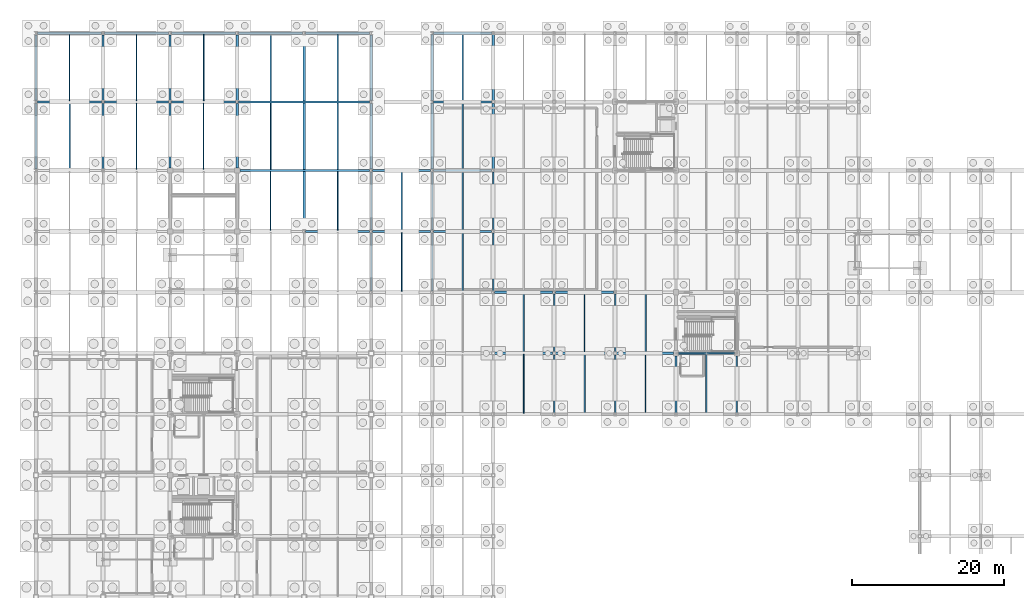
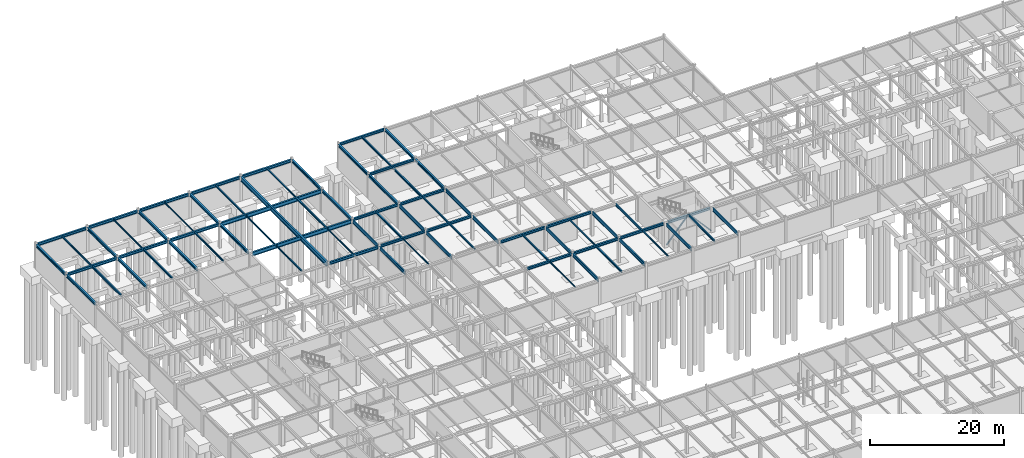
# One storey, part 37 of 72: 75 beams, 2 members.
"""IFC4 building model written with IfcOpenShell, lengths in metres."""

from ifc_helpers import new_model, si_unit, direction, frame, origin, origin_2d, place, context, subcontext, project, spatial, hollow_circle, i_section, extrude, material, material_profile, profile_set, type_object, element, save


model = new_model("IFC4")

# Units and contexts
model_context = context("Model", 3, precision=1e-05, world=origin(), true_north=direction((0.0, 1.0)))
body_context = subcontext(model_context, "Body", "Model", "MODEL_VIEW")
ifc_project = project(units=[si_unit("LENGTHUNIT", "METRE"), si_unit("AREAUNIT", "SQUARE_METRE"), si_unit("VOLUMEUNIT", "CUBIC_METRE"), si_unit("PLANEANGLEUNIT", "RADIAN"), si_unit("MASSUNIT", "GRAM", prefix="KILO")], contexts=[model_context])

# Site, building, storey
site_placement = place(None, origin())
site = spatial("IfcSite", under=ifc_project, at=site_placement, CompositionType="ELEMENT")
building_placement = place(site_placement, origin())
building = spatial("IfcBuilding", under=site, at=building_placement, Name="Zhaolan Boulevard Law Courts", CompositionType="ELEMENT")
storey_placement = place(building_placement, frame((0.0, 0.0, -4.800048828125)))
storey = spatial("IfcBuildingStorey", under=building, at=storey_placement, Name="B1", CompositionType="ELEMENT", Elevation=-4.800048828125)

# Members
ifc_material_1 = material(Name="Structural steel Q355B", Category="steel")
ifc_material_profile_1 = material_profile(ifc_material_1, hollow_circle(Radius=0.109619140625, WallThickness=0.008056640625, at=origin_2d()), Name="CHS219x8")
ifc_profile_set_1 = profile_set([ifc_material_profile_1], Name="Structural steel Q355B")
member_type_1 = type_object("IfcMemberType", Name="BRACE CHS219", PredefinedType="BRACE", material=ifc_profile_set_1)
member_1_placement = place(storey_placement, frame((91.820068359375, 70.0, 0.199951171875), z_axis=(-0.662424974315, 0.0, 0.749128262318), x_axis=(0.0, -1.0, 0.0)))
element("IfcMember", 1, at=member_1_placement, inside=storey, type_object=member_type_1, Name="Core Brace BR-T1-B1-S2", PredefinedType="BRACE", context=body_context, shape_type="SweptSolid", body=[
    extrude(hollow_circle(Radius=0.109619140625, WallThickness=0.008056640625, at=origin_2d()), origin(), (0.0, 0.0, 1.0), 5.766845703125),
])
ifc_material_2 = material(Name="Structural steel Q355B", Category="steel")
ifc_material_profile_2 = material_profile(ifc_material_2, hollow_circle(Radius=0.136474609375, WallThickness=0.010009765625, at=origin_2d()), Name="CHS273x10")
ifc_profile_set_2 = profile_set([ifc_material_profile_2], Name="Structural steel Q355B")
member_type_2 = type_object("IfcMemberType", Name="BRACE CHS273", PredefinedType="BRACE", material=ifc_profile_set_2)
member_2_placement = place(storey_placement, frame((84.179931640625, 70.0, 0.199951171875), z_axis=(0.662424974315, 0.0, 0.749128262318), x_axis=(0.0, 1.0, 0.0)))
element("IfcMember", 2, at=member_2_placement, inside=storey, type_object=member_type_2, Name="Core Brace BR-T1-B1-S1", PredefinedType="BRACE", context=body_context, shape_type="SweptSolid", body=[
    extrude(hollow_circle(Radius=0.136474609375, WallThickness=0.010009765625, at=origin_2d()), origin(), (0.0, 0.0, 1.0), 5.766845703125),
])

# Beams
ifc_material_3 = material(Name="Structural steel Q355B", Category="steel")
ifc_material_profile_3 = material_profile(ifc_material_3, i_section(OverallWidth=0.300048828125, OverallDepth=0.43994140625, WebThickness=0.010986328125, FlangeThickness=0.01806640625, FilletRadius=0.02001953125, at=origin_2d()), Name="HM440x300")
ifc_profile_set_3 = profile_set([ifc_material_profile_3], Name="Structural steel Q355B")
beam_type_1 = type_object("IfcBeamType", Name="GIRDER HM440", PredefinedType="BEAM", material=ifc_profile_set_3)
for number, where, z_axis, x_axis, name in (
    (3, (60.196044921875, 70.0, 4.278076171875), (1.0, 0.0, 0.0), (0.0, 1.0, 0.0), "Beam BX-L00-8-9-K"),
    (4, (68.196044921875, 70.0, 4.278076171875), (1.0, 0.0, 0.0), (0.0, 1.0, 0.0), "Beam BX-L00-9-10-K"),
):
    element("IfcBeam", number, at=place(storey_placement, frame(where, z_axis=z_axis, x_axis=x_axis)), inside=storey, type_object=beam_type_1, Name=name, PredefinedType="BEAM", context=body_context, shape_type="SweptSolid", body=[
        extrude(i_section(OverallWidth=0.300048828125, OverallDepth=0.43994140625, WebThickness=0.010986328125, FlangeThickness=0.01806640625, FilletRadius=0.02001953125, at=origin_2d()), origin(), (0.0, 0.0, 1.0), 7.60791015625),
    ])
beam_1_placement = place(storey_placement, frame((76.196044921875, 70.0, 4.278076171875), z_axis=(1.0, 0.0, 0.0), x_axis=(0.0, 1.0, 0.0)))
element("IfcBeam", 5, at=beam_1_placement, inside=storey, type_object=beam_type_1, Name="Beam BX-L00-10-11-K", PredefinedType="BEAM", context=body_context, shape_type="SweptSolid", body=[
    extrude(i_section(OverallWidth=0.300048828125, OverallDepth=0.43994140625, WebThickness=0.010986328125, FlangeThickness=0.01806640625, FilletRadius=0.02001953125, at=origin_2d()), origin(), (0.0, 0.0, 1.0), 7.4580078125),
])
beam_2_placement = place(storey_placement, frame((84.345947265625, 70.0, 4.278076171875), z_axis=(1.0, 0.0, 0.0), x_axis=(0.0, 1.0, 0.0)))
element("IfcBeam", 6, at=beam_2_placement, inside=storey, type_object=beam_type_1, Name="Beam BX-L00-11-12-K", PredefinedType="BEAM", context=body_context, shape_type="SweptSolid", body=[
    extrude(i_section(OverallWidth=0.300048828125, OverallDepth=0.43994140625, WebThickness=0.010986328125, FlangeThickness=0.01806640625, FilletRadius=0.02001953125, at=origin_2d()), origin(), (0.0, 0.0, 1.0), 7.30810546875),
])
for number, where, z_axis, x_axis, name in (
    (7, (60.196044921875, 78.0, 4.278076171875), (1.0, 0.0, 0.0), (0.0, 1.0, 0.0), "Beam BX-L00-8-9-L"),
    (8, (68.196044921875, 78.0, 4.278076171875), (1.0, 0.0, 0.0), (0.0, 1.0, 0.0), "Beam BX-L00-9-10-L"),
    (9, (44.196044921875, 86.0, 4.328125), (1.0, 0.0, 0.0), (0.0, 1.0, 0.0), "Beam BX-L00-6-7-M"),
    (10, (52.196044921875, 86.0, 4.278076171875), (1.0, 0.0, 0.0), (0.0, 1.0, 0.0), "Beam BX-L00-7-8-M"),
    (11, (44.196044921875, 94.0, 4.328125), (1.0, 0.0, 0.0), (0.0, 1.0, 0.0), "Beam BX-L00-6-7-N"),
    (12, (52.196044921875, 94.0, 4.278076171875), (1.0, 0.0, 0.0), (0.0, 1.0, 0.0), "Beam BX-L00-7-8-N"),
):
    element("IfcBeam", number, at=place(storey_placement, frame(where, z_axis=z_axis, x_axis=x_axis)), inside=storey, type_object=beam_type_1, Name=name, PredefinedType="BEAM", context=body_context, shape_type="SweptSolid", body=[
        extrude(i_section(OverallWidth=0.300048828125, OverallDepth=0.43994140625, WebThickness=0.010986328125, FlangeThickness=0.01806640625, FilletRadius=0.02001953125, at=origin_2d()), origin(), (0.0, 0.0, 1.0), 7.60791015625),
    ])
beam_3_placement = place(storey_placement, frame((52.1708984375, 103.0, 4.278076171875), z_axis=(1.0, 0.0, 0.0), x_axis=(0.0, 1.0, 0.0)))
element("IfcBeam", 13, at=beam_3_placement, inside=storey, type_object=beam_type_1, Name="Beam BX-L00-7-8-P", PredefinedType="BEAM", context=body_context, shape_type="SweptSolid", body=[
    extrude(i_section(OverallWidth=0.300048828125, OverallDepth=0.43994140625, WebThickness=0.010986328125, FlangeThickness=0.01806640625, FilletRadius=0.02001953125, at=origin_2d()), origin(), (0.0, 0.0, 1.0), 7.633056640625),
])
beam_4_placement = place(storey_placement, frame((52.1708984375, 112.0, 4.278076171875), z_axis=(1.0, 0.0, 0.0), x_axis=(0.0, 1.0, 0.0)))
element("IfcBeam", 14, at=beam_4_placement, inside=storey, type_object=beam_type_1, Name="Beam BX-L00-7-8-Q", PredefinedType="BEAM", context=body_context, shape_type="SweptSolid", body=[
    extrude(i_section(OverallWidth=0.300048828125, OverallDepth=0.43994140625, WebThickness=0.010986328125, FlangeThickness=0.01806640625, FilletRadius=0.02001953125, at=origin_2d()), origin(), (0.0, 0.0, 1.0), 7.658203125),
])
ifc_material_4 = material(Name="Structural steel Q355B", Category="steel")
ifc_material_profile_4 = material_profile(ifc_material_4, i_section(OverallWidth=0.300048828125, OverallDepth=0.48193359375, WebThickness=0.010986328125, FlangeThickness=0.014892578125, FilletRadius=0.02197265625, at=origin_2d()), Name="HM482x300")
ifc_profile_set_4 = profile_set([ifc_material_profile_4], Name="Structural steel Q355B")
beam_type_2 = type_object("IfcBeamType", Name="GIRDER HM488", PredefinedType="BEAM", material=ifc_profile_set_4)
for number, where, z_axis, x_axis, name in (
    (15, (0.0, 94.196044921875, 4.257080078125), (0.0, 1.0, 0.0), (-1.0, 0.0, 0.0), "Beam BY-L00-1-N-P"),
    (16, (0.0, 103.196044921875, 4.257080078125), (0.0, 1.0, 0.0), (-1.0, 0.0, 0.0), "Beam BY-L00-1-P-Q"),
    (17, (8.800048828125, 94.196044921875, 4.257080078125), (0.0, 1.0, 0.0), (-1.0, 0.0, 0.0), "Beam BY-L00-2-N-P"),
    (18, (8.800048828125, 103.196044921875, 4.257080078125), (0.0, 1.0, 0.0), (-1.0, 0.0, 0.0), "Beam BY-L00-2-P-Q"),
):
    element("IfcBeam", number, at=place(storey_placement, frame(where, z_axis=z_axis, x_axis=x_axis)), inside=storey, type_object=beam_type_2, Name=name, PredefinedType="BEAM", context=body_context, shape_type="SweptSolid", body=[
        extrude(i_section(OverallWidth=0.300048828125, OverallDepth=0.48193359375, WebThickness=0.010986328125, FlangeThickness=0.014892578125, FilletRadius=0.02197265625, at=origin_2d()), origin(), (0.0, 0.0, 1.0), 8.60791015625),
    ])
beam_5_placement = place(storey_placement, frame((17.60009765625, 94.345947265625, 4.257080078125), z_axis=(0.0, 1.0, 0.0), x_axis=(-1.0, 0.0, 0.0)))
element("IfcBeam", 19, at=beam_5_placement, inside=storey, type_object=beam_type_2, Name="Beam BY-L00-3-N-P", PredefinedType="BEAM", context=body_context, shape_type="SweptSolid", body=[
    extrude(i_section(OverallWidth=0.300048828125, OverallDepth=0.48193359375, WebThickness=0.010986328125, FlangeThickness=0.014892578125, FilletRadius=0.02197265625, at=origin_2d()), origin(), (0.0, 0.0, 1.0), 8.4580078125),
])
beam_6_placement = place(storey_placement, frame((17.60009765625, 103.196044921875, 4.257080078125), z_axis=(0.0, 1.0, 0.0), x_axis=(-1.0, 0.0, 0.0)))
element("IfcBeam", 20, at=beam_6_placement, inside=storey, type_object=beam_type_2, Name="Beam BY-L00-3-P-Q", PredefinedType="BEAM", context=body_context, shape_type="SweptSolid", body=[
    extrude(i_section(OverallWidth=0.300048828125, OverallDepth=0.48193359375, WebThickness=0.010986328125, FlangeThickness=0.014892578125, FilletRadius=0.02197265625, at=origin_2d()), origin(), (0.0, 0.0, 1.0), 8.60791015625),
])
beam_7_placement = place(storey_placement, frame((26.39990234375, 94.345947265625, 4.257080078125), z_axis=(0.0, 1.0, 0.0), x_axis=(-1.0, 0.0, 0.0)))
element("IfcBeam", 21, at=beam_7_placement, inside=storey, type_object=beam_type_2, Name="Beam BY-L00-4-N-P", PredefinedType="BEAM", context=body_context, shape_type="SweptSolid", body=[
    extrude(i_section(OverallWidth=0.300048828125, OverallDepth=0.48193359375, WebThickness=0.010986328125, FlangeThickness=0.014892578125, FilletRadius=0.02197265625, at=origin_2d()), origin(), (0.0, 0.0, 1.0), 8.4580078125),
])
for number, where, z_axis, x_axis, name in (
    (22, (26.39990234375, 103.196044921875, 4.257080078125), (0.0, 1.0, 0.0), (-1.0, 0.0, 0.0), "Beam BY-L00-4-P-Q"),
    (23, (44.0, 94.196044921875, 4.257080078125), (0.0, 1.0, 0.0), (-1.0, 0.0, 0.0), "Beam BY-L00-6-N-P"),
    (24, (44.0, 103.196044921875, 4.257080078125), (0.0, 1.0, 0.0), (-1.0, 0.0, 0.0), "Beam BY-L00-6-P-Q"),
):
    element("IfcBeam", number, at=place(storey_placement, frame(where, z_axis=z_axis, x_axis=x_axis)), inside=storey, type_object=beam_type_2, Name=name, PredefinedType="BEAM", context=body_context, shape_type="SweptSolid", body=[
        extrude(i_section(OverallWidth=0.300048828125, OverallDepth=0.48193359375, WebThickness=0.010986328125, FlangeThickness=0.014892578125, FilletRadius=0.02197265625, at=origin_2d()), origin(), (0.0, 0.0, 1.0), 8.60791015625),
    ])
beam_8_placement = place(storey_placement, frame((52.0, 94.196044921875, 4.257080078125), z_axis=(0.0, 1.0, 0.0), x_axis=(-1.0, 0.0, 0.0)))
element("IfcBeam", 25, at=beam_8_placement, inside=storey, type_object=beam_type_2, Name="Beam BY-L00-7-N-P", PredefinedType="BEAM", context=body_context, shape_type="SweptSolid", body=[
    extrude(i_section(OverallWidth=0.300048828125, OverallDepth=0.48193359375, WebThickness=0.010986328125, FlangeThickness=0.014892578125, FilletRadius=0.02197265625, at=origin_2d()), origin(), (0.0, 0.0, 1.0), 8.633056640625),
])
beam_9_placement = place(storey_placement, frame((52.0, 103.1708984375, 4.257080078125), z_axis=(0.0, 1.0, 0.0), x_axis=(-1.0, 0.0, 0.0)))
element("IfcBeam", 26, at=beam_9_placement, inside=storey, type_object=beam_type_2, Name="Beam BY-L00-7-P-Q", PredefinedType="BEAM", context=body_context, shape_type="SweptSolid", body=[
    extrude(i_section(OverallWidth=0.300048828125, OverallDepth=0.48193359375, WebThickness=0.010986328125, FlangeThickness=0.014892578125, FilletRadius=0.02197265625, at=origin_2d()), origin(), (0.0, 0.0, 1.0), 8.658203125),
])
beam_10_placement = place(storey_placement, frame((60.0, 94.196044921875, 4.257080078125), z_axis=(0.0, 1.0, 0.0), x_axis=(-1.0, 0.0, 0.0)))
element("IfcBeam", 27, at=beam_10_placement, inside=storey, type_object=beam_type_2, Name="Beam BY-L00-8-N-P", PredefinedType="BEAM", context=body_context, shape_type="SweptSolid", body=[
    extrude(i_section(OverallWidth=0.300048828125, OverallDepth=0.48193359375, WebThickness=0.010986328125, FlangeThickness=0.014892578125, FilletRadius=0.02197265625, at=origin_2d()), origin(), (0.0, 0.0, 1.0), 8.60791015625),
])
beam_11_placement = place(storey_placement, frame((60.0, 103.196044921875, 4.257080078125), z_axis=(0.0, 1.0, 0.0), x_axis=(-1.0, 0.0, 0.0)))
element("IfcBeam", 28, at=beam_11_placement, inside=storey, type_object=beam_type_2, Name="Beam BY-L00-8-P-Q", PredefinedType="BEAM", context=body_context, shape_type="SweptSolid", body=[
    extrude(i_section(OverallWidth=0.300048828125, OverallDepth=0.48193359375, WebThickness=0.010986328125, FlangeThickness=0.014892578125, FilletRadius=0.02197265625, at=origin_2d()), origin(), (0.0, 0.0, 1.0), 8.633056640625),
])
ifc_material_5 = material(Name="Structural steel Q355B", Category="steel")
ifc_material_profile_5 = material_profile(ifc_material_5, i_section(OverallWidth=0.300048828125, OverallDepth=0.488037109375, WebThickness=0.010986328125, FlangeThickness=0.01806640625, FilletRadius=0.02197265625, at=origin_2d()), Name="HM488x300")
ifc_profile_set_5 = profile_set([ifc_material_profile_5], Name="Structural steel Q355B")
beam_type_3 = type_object("IfcBeamType", Name="GIRDER HM500", PredefinedType="BEAM", material=ifc_profile_set_5)
for number, where, z_axis, x_axis, name in (
    (29, (35.39599609375, 86.0, 4.254150390625), (1.0, 0.0, 0.0), (0.0, 1.0, 0.0), "Beam BX-L00-5-6-M"),
    (30, (0.196044921875, 103.0, 4.254150390625), (1.0, 0.0, 0.0), (0.0, 1.0, 0.0), "Beam BX-L00-1-2-P"),
    (31, (8.99609375, 103.0, 4.254150390625), (1.0, 0.0, 0.0), (0.0, 1.0, 0.0), "Beam BX-L00-2-3-P"),
):
    element("IfcBeam", number, at=place(storey_placement, frame(where, z_axis=z_axis, x_axis=x_axis)), inside=storey, type_object=beam_type_3, Name=name, PredefinedType="BEAM", context=body_context, shape_type="SweptSolid", body=[
        extrude(i_section(OverallWidth=0.300048828125, OverallDepth=0.488037109375, WebThickness=0.010986328125, FlangeThickness=0.01806640625, FilletRadius=0.02197265625, at=origin_2d()), origin(), (0.0, 0.0, 1.0), 8.407958984375),
    ])
beam_12_placement = place(storey_placement, frame((17.7958984375, 103.0, 4.254150390625), z_axis=(1.0, 0.0, 0.0), x_axis=(0.0, 1.0, 0.0)))
element("IfcBeam", 32, at=beam_12_placement, inside=storey, type_object=beam_type_3, Name="Beam BX-L00-3-4-P", PredefinedType="BEAM", context=body_context, shape_type="SweptSolid", body=[
    extrude(i_section(OverallWidth=0.300048828125, OverallDepth=0.488037109375, WebThickness=0.010986328125, FlangeThickness=0.01806640625, FilletRadius=0.02197265625, at=origin_2d()), origin(), (0.0, 0.0, 1.0), 8.408203125),
])
for number, where, z_axis, x_axis, name in (
    (33, (0.196044921875, 112.0, 4.254150390625), (1.0, 0.0, 0.0), (0.0, 1.0, 0.0), "Beam BX-L00-1-2-Q"),
    (34, (8.99609375, 112.0, 4.254150390625), (1.0, 0.0, 0.0), (0.0, 1.0, 0.0), "Beam BX-L00-2-3-Q"),
):
    element("IfcBeam", number, at=place(storey_placement, frame(where, z_axis=z_axis, x_axis=x_axis)), inside=storey, type_object=beam_type_3, Name=name, PredefinedType="BEAM", context=body_context, shape_type="SweptSolid", body=[
        extrude(i_section(OverallWidth=0.300048828125, OverallDepth=0.488037109375, WebThickness=0.010986328125, FlangeThickness=0.01806640625, FilletRadius=0.02197265625, at=origin_2d()), origin(), (0.0, 0.0, 1.0), 8.407958984375),
    ])
beam_13_placement = place(storey_placement, frame((17.7958984375, 112.0, 4.254150390625), z_axis=(1.0, 0.0, 0.0), x_axis=(0.0, 1.0, 0.0)))
element("IfcBeam", 35, at=beam_13_placement, inside=storey, type_object=beam_type_3, Name="Beam BX-L00-3-4-Q", PredefinedType="BEAM", context=body_context, shape_type="SweptSolid", body=[
    extrude(i_section(OverallWidth=0.300048828125, OverallDepth=0.488037109375, WebThickness=0.010986328125, FlangeThickness=0.01806640625, FilletRadius=0.02197265625, at=origin_2d()), origin(), (0.0, 0.0, 1.0), 8.408203125),
])
for number, where, z_axis, x_axis, name in (
    (36, (26.595947265625, 112.0, 4.254150390625), (1.0, 0.0, 0.0), (0.0, 1.0, 0.0), "Beam BX-L00-4-5-Q"),
    (37, (35.39599609375, 112.0, 4.254150390625), (1.0, 0.0, 0.0), (0.0, 1.0, 0.0), "Beam BX-L00-5-6-Q"),
):
    element("IfcBeam", number, at=place(storey_placement, frame(where, z_axis=z_axis, x_axis=x_axis)), inside=storey, type_object=beam_type_3, Name=name, PredefinedType="BEAM", context=body_context, shape_type="SweptSolid", body=[
        extrude(i_section(OverallWidth=0.300048828125, OverallDepth=0.488037109375, WebThickness=0.010986328125, FlangeThickness=0.01806640625, FilletRadius=0.02197265625, at=origin_2d()), origin(), (0.0, 0.0, 1.0), 8.407958984375),
    ])
ifc_material_6 = material(Name="Structural steel Q355B", Category="steel")
ifc_material_profile_6 = material_profile(ifc_material_6, i_section(OverallWidth=0.199951171875, OverallDepth=0.60009765625, WebThickness=0.010986328125, FlangeThickness=0.01708984375, FilletRadius=0.02001953125, at=origin_2d()), Name="HN600x200")
ifc_profile_set_6 = profile_set([ifc_material_profile_6], Name="Structural steel Q355B")
beam_type_4 = type_object("IfcBeamType", Name="GIRDER HN600", PredefinedType="BEAM", material=ifc_profile_set_6)
for number, where, z_axis, x_axis, name in (
    (38, (44.0, 78.196044921875, 4.197998046875), (0.0, 1.0, 0.0), (-1.0, 0.0, 0.0), "Beam BY-L00-6-L-M"),
    (39, (44.0, 86.196044921875, 4.197998046875), (0.0, 1.0, 0.0), (-1.0, 0.0, 0.0), "Beam BY-L00-6-M-N"),
    (40, (52.0, 78.196044921875, 4.197998046875), (0.0, 1.0, 0.0), (-1.0, 0.0, 0.0), "Beam BY-L00-7-L-M"),
    (41, (52.0, 86.196044921875, 4.197998046875), (0.0, 1.0, 0.0), (-1.0, 0.0, 0.0), "Beam BY-L00-7-M-N"),
    (42, (60.0, 78.196044921875, 4.197998046875), (0.0, 1.0, 0.0), (-1.0, 0.0, 0.0), "Beam BY-L00-8-L-M"),
    (43, (60.0, 86.196044921875, 4.197998046875), (0.0, 1.0, 0.0), (-1.0, 0.0, 0.0), "Beam BY-L00-8-M-N"),
    (44, (68.0, 62.196044921875, 4.197998046875), (0.0, 1.0, 0.0), (-1.0, 0.0, 0.0), "Beam BY-L00-9-J-K"),
    (45, (68.0, 70.196044921875, 4.197998046875), (0.0, 1.0, 0.0), (-1.0, 0.0, 0.0), "Beam BY-L00-9-K-L"),
    (46, (76.0, 62.196044921875, 4.197998046875), (0.0, 1.0, 0.0), (-1.0, 0.0, 0.0), "Beam BY-L00-10-J-K"),
    (47, (76.0, 70.196044921875, 4.197998046875), (0.0, 1.0, 0.0), (-1.0, 0.0, 0.0), "Beam BY-L00-10-K-L"),
):
    element("IfcBeam", number, at=place(storey_placement, frame(where, z_axis=z_axis, x_axis=x_axis)), inside=storey, type_object=beam_type_4, Name=name, PredefinedType="BEAM", context=body_context, shape_type="SweptSolid", body=[
        extrude(i_section(OverallWidth=0.199951171875, OverallDepth=0.60009765625, WebThickness=0.010986328125, FlangeThickness=0.01708984375, FilletRadius=0.02001953125, at=origin_2d()), origin(), (0.0, 0.0, 1.0), 7.60791015625),
    ])
for number, where, z_axis, x_axis, name in (
    (48, (84.0, 62.196044921875, 4.197998046875), (0.0, 1.0, 0.0), (-1.0, 0.0, 0.0), "Beam BY-L00-11-J-K"),
    (49, (92.0, 62.196044921875, 4.197998046875), (0.0, 1.0, 0.0), (-1.0, 0.0, 0.0), "Beam BY-L00-12-J-K"),
):
    element("IfcBeam", number, at=place(storey_placement, frame(where, z_axis=z_axis, x_axis=x_axis)), inside=storey, type_object=beam_type_4, Name=name, PredefinedType="BEAM", context=body_context, shape_type="SweptSolid", body=[
        extrude(i_section(OverallWidth=0.199951171875, OverallDepth=0.60009765625, WebThickness=0.010986328125, FlangeThickness=0.01708984375, FilletRadius=0.02001953125, at=origin_2d()), origin(), (0.0, 0.0, 1.0), 7.4580078125),
    ])
ifc_material_7 = material(Name="Structural steel Q390B", Category="steel")
ifc_material_profile_7 = material_profile(ifc_material_7, i_section(OverallWidth=0.300048828125, OverallDepth=0.699951171875, WebThickness=0.012939453125, FlangeThickness=0.02392578125, FilletRadius=0.02392578125, at=origin_2d()), Name="HN700x300")
ifc_profile_set_7 = profile_set([ifc_material_profile_7], Name="Structural steel Q390B")
beam_type_5 = type_object("IfcBeamType", Name="GIRDER HN700", PredefinedType="BEAM", material=ifc_profile_set_7)
beam_14_placement = place(storey_placement, frame((26.74609375, 94.0, 4.14794921875), z_axis=(1.0, 0.0, 0.0), x_axis=(0.0, 1.0, 0.0)))
element("IfcBeam", 50, at=beam_14_placement, inside=storey, type_object=beam_type_5, Name="Beam BX-L00-4-6-N", PredefinedType="BEAM", context=body_context, shape_type="SweptSolid", body=[
    extrude(i_section(OverallWidth=0.300048828125, OverallDepth=0.699951171875, WebThickness=0.012939453125, FlangeThickness=0.02392578125, FilletRadius=0.02392578125, at=origin_2d()), origin(), (0.0, 0.0, 1.0), 17.057861328125),
])
beam_15_placement = place(storey_placement, frame((26.595947265625, 103.0, 4.14794921875), z_axis=(1.0, 0.0, 0.0), x_axis=(0.0, 1.0, 0.0)))
element("IfcBeam", 51, at=beam_15_placement, inside=storey, type_object=beam_type_5, Name="Beam BX-L00-4-6-P", PredefinedType="BEAM", context=body_context, shape_type="SweptSolid", body=[
    extrude(i_section(OverallWidth=0.300048828125, OverallDepth=0.699951171875, WebThickness=0.012939453125, FlangeThickness=0.02392578125, FilletRadius=0.02392578125, at=origin_2d()), origin(), (0.0, 0.0, 1.0), 17.2080078125),
])
ifc_material_8 = material(Name="Structural steel Q390B", Category="steel")
ifc_material_profile_8 = material_profile(ifc_material_8, i_section(OverallWidth=0.300048828125, OverallDepth=0.800048828125, WebThickness=0.013916015625, FlangeThickness=0.02587890625, FilletRadius=0.02392578125, at=origin_2d()), Name="HN800x300")
ifc_profile_set_8 = profile_set([ifc_material_profile_8], Name="Structural steel Q390B")
beam_type_6 = type_object("IfcBeamType", Name="GIRDER HN800", PredefinedType="BEAM", material=ifc_profile_set_8)
beam_16_placement = place(storey_placement, frame((35.199951171875, 86.196044921875, 4.09814453125), z_axis=(0.0, 1.0, 0.0), x_axis=(-1.0, 0.0, 0.0)))
element("IfcBeam", 52, at=beam_16_placement, inside=storey, type_object=beam_type_6, Name="Beam BY-L00-5-M-Q", PredefinedType="BEAM", context=body_context, shape_type="SweptSolid", body=[
    extrude(i_section(OverallWidth=0.300048828125, OverallDepth=0.800048828125, WebThickness=0.013916015625, FlangeThickness=0.02587890625, FilletRadius=0.02392578125, at=origin_2d()), origin(), (0.0, 0.0, 1.0), 25.60791015625),
])
ifc_material_9 = material(Name="Structural steel Q355B", Category="steel")
ifc_material_profile_9 = material_profile(ifc_material_9, i_section(OverallWidth=0.175048828125, OverallDepth=0.243896484375, WebThickness=0.007080078125, FlangeThickness=0.010986328125, FilletRadius=0.012939453125, at=origin_2d()), Name="HM244x175")
ifc_profile_set_9 = profile_set([ifc_material_profile_9], Name="Structural steel Q355B")
beam_type_7 = type_object("IfcBeamType", Name="JOIST HM244", PredefinedType="JOIST", material=ifc_profile_set_9)
beam_17_placement = place(storey_placement, frame((39.60009765625, 103.14599609375, 4.3759765625), z_axis=(0.0, 1.0, 0.0), x_axis=(-1.0, 0.0, 0.0)))
element("IfcBeam", 53, at=beam_17_placement, inside=storey, type_object=beam_type_7, Name="Composite Joist J-L00-5P", PredefinedType="JOIST", context=body_context, shape_type="SweptSolid", body=[
    extrude(i_section(OverallWidth=0.175048828125, OverallDepth=0.243896484375, WebThickness=0.007080078125, FlangeThickness=0.010986328125, FilletRadius=0.012939453125, at=origin_2d()), origin(), (0.0, 0.0, 1.0), 8.7080078125),
])
for number, where, z_axis, x_axis, name in (
    (54, (56.0, 86.14599609375, 4.3759765625), (0.0, 1.0, 0.0), (-1.0, 0.0, 0.0), "Composite Joist J-L00-7M"),
    (55, (72.0, 70.14599609375, 4.3759765625), (0.0, 1.0, 0.0), (-1.0, 0.0, 0.0), "Composite Joist J-L00-9K"),
    (56, (80.0, 62.14599609375, 4.3759765625), (0.0, 1.0, 0.0), (-1.0, 0.0, 0.0), "Composite Joist J-L00-10J"),
):
    element("IfcBeam", number, at=place(storey_placement, frame(where, z_axis=z_axis, x_axis=x_axis)), inside=storey, type_object=beam_type_7, Name=name, PredefinedType="JOIST", context=body_context, shape_type="SweptSolid", body=[
        extrude(i_section(OverallWidth=0.175048828125, OverallDepth=0.243896484375, WebThickness=0.007080078125, FlangeThickness=0.010986328125, FilletRadius=0.012939453125, at=origin_2d()), origin(), (0.0, 0.0, 1.0), 7.7080078125),
    ])
ifc_material_10 = material(Name="Structural steel Q355B", Category="steel")
ifc_material_profile_10 = material_profile(ifc_material_10, i_section(OverallWidth=0.199951171875, OverallDepth=0.2939453125, WebThickness=0.008056640625, FlangeThickness=0.011962890625, FilletRadius=0.01611328125, at=origin_2d()), Name="HM294x200")
ifc_profile_set_10 = profile_set([ifc_material_profile_10], Name="Structural steel Q355B")
beam_type_8 = type_object("IfcBeamType", Name="JOIST HM294", PredefinedType="JOIST", material=ifc_profile_set_10)
for number, where, z_axis, x_axis, name in (
    (57, (30.800048828125, 103.14599609375, 4.35107421875), (0.0, 1.0, 0.0), (-1.0, 0.0, 0.0), "Composite Joist J-L00-4P"),
    (58, (39.60009765625, 94.14599609375, 4.35107421875), (0.0, 1.0, 0.0), (-1.0, 0.0, 0.0), "Composite Joist J-L00-5N"),
):
    element("IfcBeam", number, at=place(storey_placement, frame(where, z_axis=z_axis, x_axis=x_axis)), inside=storey, type_object=beam_type_8, Name=name, PredefinedType="JOIST", context=body_context, shape_type="SweptSolid", body=[
        extrude(i_section(OverallWidth=0.199951171875, OverallDepth=0.2939453125, WebThickness=0.008056640625, FlangeThickness=0.011962890625, FilletRadius=0.01611328125, at=origin_2d()), origin(), (0.0, 0.0, 1.0), 8.7080078125),
    ])
for number, where, z_axis, x_axis, name in (
    (59, (48.0, 86.14599609375, 4.401123046875), (0.0, 1.0, 0.0), (-1.0, 0.0, 0.0), "Composite Joist J-L00-6M"),
    (60, (56.0, 78.14599609375, 4.35107421875), (0.0, 1.0, 0.0), (-1.0, 0.0, 0.0), "Composite Joist J-L00-7L"),
    (61, (64.0, 70.14599609375, 4.35107421875), (0.0, 1.0, 0.0), (-1.0, 0.0, 0.0), "Composite Joist J-L00-8K"),
    (62, (72.0, 62.14599609375, 4.35107421875), (0.0, 1.0, 0.0), (-1.0, 0.0, 0.0), "Composite Joist J-L00-9J"),
):
    element("IfcBeam", number, at=place(storey_placement, frame(where, z_axis=z_axis, x_axis=x_axis)), inside=storey, type_object=beam_type_8, Name=name, PredefinedType="JOIST", context=body_context, shape_type="SweptSolid", body=[
        extrude(i_section(OverallWidth=0.199951171875, OverallDepth=0.2939453125, WebThickness=0.008056640625, FlangeThickness=0.011962890625, FilletRadius=0.01611328125, at=origin_2d()), origin(), (0.0, 0.0, 1.0), 7.7080078125),
    ])
ifc_material_11 = material(Name="Structural steel Q355B", Category="steel")
ifc_material_profile_11 = material_profile(ifc_material_11, i_section(OverallWidth=0.125, OverallDepth=0.25, WebThickness=0.006103515625, FlangeThickness=0.009033203125, FilletRadius=0.010009765625, at=origin_2d()), Name="HN250x125")
ifc_profile_set_11 = profile_set([ifc_material_profile_11], Name="Structural steel Q355B")
beam_type_9 = type_object("IfcBeamType", Name="JOIST HN250", PredefinedType="JOIST", material=ifc_profile_set_11)
for number, where, z_axis, x_axis, name in (
    (63, (22.0, 103.14599609375, 4.373046875), (0.0, 1.0, 0.0), (-1.0, 0.0, 0.0), "Composite Joist J-L00-3P"),
    (64, (30.800048828125, 94.14599609375, 4.373046875), (0.0, 1.0, 0.0), (-1.0, 0.0, 0.0), "Composite Joist J-L00-4N"),
):
    element("IfcBeam", number, at=place(storey_placement, frame(where, z_axis=z_axis, x_axis=x_axis)), inside=storey, type_object=beam_type_9, Name=name, PredefinedType="JOIST", context=body_context, shape_type="SweptSolid", body=[
        extrude(i_section(OverallWidth=0.125, OverallDepth=0.25, WebThickness=0.006103515625, FlangeThickness=0.009033203125, FilletRadius=0.010009765625, at=origin_2d()), origin(), (0.0, 0.0, 1.0), 8.7080078125),
    ])
for number, where, z_axis, x_axis, name in (
    (65, (39.60009765625, 86.14599609375, 4.373046875), (0.0, 1.0, 0.0), (-1.0, 0.0, 0.0), "Composite Joist J-L00-5M"),
    (66, (48.0, 78.14599609375, 4.423095703125), (0.0, 1.0, 0.0), (-1.0, 0.0, 0.0), "Composite Joist J-L00-6L"),
    (67, (64.0, 62.14599609375, 4.373046875), (0.0, 1.0, 0.0), (-1.0, 0.0, 0.0), "Composite Joist J-L00-8J"),
):
    element("IfcBeam", number, at=place(storey_placement, frame(where, z_axis=z_axis, x_axis=x_axis)), inside=storey, type_object=beam_type_9, Name=name, PredefinedType="JOIST", context=body_context, shape_type="SweptSolid", body=[
        extrude(i_section(OverallWidth=0.125, OverallDepth=0.25, WebThickness=0.006103515625, FlangeThickness=0.009033203125, FilletRadius=0.010009765625, at=origin_2d()), origin(), (0.0, 0.0, 1.0), 7.7080078125),
    ])
ifc_material_12 = material(Name="Structural steel Q355B", Category="steel")
ifc_material_profile_12 = material_profile(ifc_material_12, i_section(OverallWidth=0.14990234375, OverallDepth=0.300048828125, WebThickness=0.006591796875, FlangeThickness=0.009033203125, FilletRadius=0.010986328125, at=origin_2d()), Name="HN300x150")
ifc_profile_set_12 = profile_set([ifc_material_profile_12], Name="Structural steel Q355B")
beam_type_10 = type_object("IfcBeamType", Name="JOIST HN300", PredefinedType="JOIST", material=ifc_profile_set_12)
for number, where, z_axis, x_axis, name in (
    (68, (13.199951171875, 103.14599609375, 4.34814453125), (0.0, 1.0, 0.0), (-1.0, 0.0, 0.0), "Composite Joist J-L00-2P"),
    (69, (22.0, 94.14599609375, 4.34814453125), (0.0, 1.0, 0.0), (-1.0, 0.0, 0.0), "Composite Joist J-L00-3N"),
):
    element("IfcBeam", number, at=place(storey_placement, frame(where, z_axis=z_axis, x_axis=x_axis)), inside=storey, type_object=beam_type_10, Name=name, PredefinedType="JOIST", context=body_context, shape_type="SweptSolid", body=[
        extrude(i_section(OverallWidth=0.14990234375, OverallDepth=0.300048828125, WebThickness=0.006591796875, FlangeThickness=0.009033203125, FilletRadius=0.010986328125, at=origin_2d()), origin(), (0.0, 0.0, 1.0), 8.7080078125),
    ])
beam_18_placement = place(storey_placement, frame((30.800048828125, 86.14599609375, 4.34814453125), z_axis=(0.0, 1.0, 0.0), x_axis=(-1.0, 0.0, 0.0)))
element("IfcBeam", 70, at=beam_18_placement, inside=storey, type_object=beam_type_10, Name="Composite Joist J-L00-4M", PredefinedType="JOIST", context=body_context, shape_type="SweptSolid", body=[
    extrude(i_section(OverallWidth=0.14990234375, OverallDepth=0.300048828125, WebThickness=0.006591796875, FlangeThickness=0.009033203125, FilletRadius=0.010986328125, at=origin_2d()), origin(), (0.0, 0.0, 1.0), 7.7080078125),
])
ifc_material_13 = material(Name="Structural steel Q355B", Category="steel")
ifc_material_profile_13 = material_profile(ifc_material_13, i_section(OverallWidth=0.175048828125, OverallDepth=0.35009765625, WebThickness=0.007080078125, FlangeThickness=0.010986328125, FilletRadius=0.012939453125, at=origin_2d()), Name="HN350x175")
ifc_profile_set_13 = profile_set([ifc_material_profile_13], Name="Structural steel Q355B")
beam_type_11 = type_object("IfcBeamType", Name="JOIST HN350", PredefinedType="JOIST", material=ifc_profile_set_13)
for number, where, z_axis, x_axis, name in (
    (71, (4.39990234375, 103.14599609375, 4.322998046875), (0.0, 1.0, 0.0), (-1.0, 0.0, 0.0), "Composite Joist J-L00-1P"),
    (72, (13.199951171875, 94.14599609375, 4.322998046875), (0.0, 1.0, 0.0), (-1.0, 0.0, 0.0), "Composite Joist J-L00-2N"),
    (73, (56.0, 103.14599609375, 4.322998046875), (0.0, 1.0, 0.0), (-1.0, 0.0, 0.0), "Composite Joist J-L00-7P"),
):
    element("IfcBeam", number, at=place(storey_placement, frame(where, z_axis=z_axis, x_axis=x_axis)), inside=storey, type_object=beam_type_11, Name=name, PredefinedType="JOIST", context=body_context, shape_type="SweptSolid", body=[
        extrude(i_section(OverallWidth=0.175048828125, OverallDepth=0.35009765625, WebThickness=0.007080078125, FlangeThickness=0.010986328125, FilletRadius=0.012939453125, at=origin_2d()), origin(), (0.0, 0.0, 1.0), 8.7080078125),
    ])
ifc_material_14 = material(Name="Structural steel Q355B", Category="steel")
ifc_material_profile_14 = material_profile(ifc_material_14, i_section(OverallWidth=0.199951171875, OverallDepth=0.39990234375, WebThickness=0.008056640625, FlangeThickness=0.012939453125, FilletRadius=0.013916015625, at=origin_2d()), Name="HN400x200")
ifc_profile_set_14 = profile_set([ifc_material_profile_14], Name="Structural steel Q355B")
beam_type_12 = type_object("IfcBeamType", Name="JOIST HN400", PredefinedType="JOIST", material=ifc_profile_set_14)
for number, where, z_axis, x_axis, name in (
    (74, (4.39990234375, 94.14599609375, 4.298095703125), (0.0, 1.0, 0.0), (-1.0, 0.0, 0.0), "Composite Joist J-L00-1N"),
    (75, (56.0, 94.14599609375, 4.298095703125), (0.0, 1.0, 0.0), (-1.0, 0.0, 0.0), "Composite Joist J-L00-7N"),
):
    element("IfcBeam", number, at=place(storey_placement, frame(where, z_axis=z_axis, x_axis=x_axis)), inside=storey, type_object=beam_type_12, Name=name, PredefinedType="JOIST", context=body_context, shape_type="SweptSolid", body=[
        extrude(i_section(OverallWidth=0.199951171875, OverallDepth=0.39990234375, WebThickness=0.008056640625, FlangeThickness=0.012939453125, FilletRadius=0.013916015625, at=origin_2d()), origin(), (0.0, 0.0, 1.0), 8.7080078125),
    ])
for number, where, z_axis, x_axis, name in (
    (76, (80.0, 70.14599609375, 4.298095703125), (0.0, 1.0, 0.0), (-1.0, 0.0, 0.0), "Composite Joist J-L00-10K"),
    (77, (88.0, 62.14599609375, 4.298095703125), (0.0, 1.0, 0.0), (-1.0, 0.0, 0.0), "Composite Joist J-L00-11J"),
):
    element("IfcBeam", number, at=place(storey_placement, frame(where, z_axis=z_axis, x_axis=x_axis)), inside=storey, type_object=beam_type_12, Name=name, PredefinedType="JOIST", context=body_context, shape_type="SweptSolid", body=[
        extrude(i_section(OverallWidth=0.199951171875, OverallDepth=0.39990234375, WebThickness=0.008056640625, FlangeThickness=0.012939453125, FilletRadius=0.013916015625, at=origin_2d()), origin(), (0.0, 0.0, 1.0), 7.7080078125),
    ])

save(model, "model.ifc")
